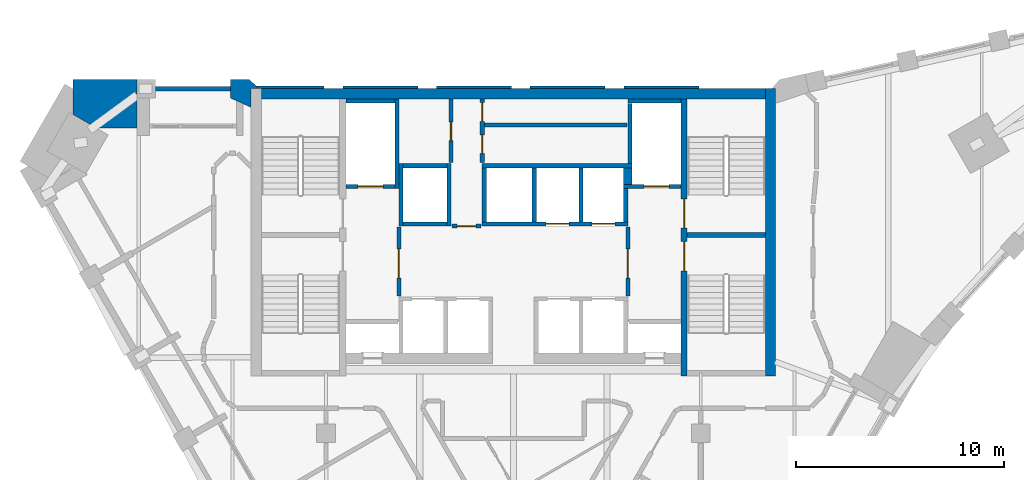
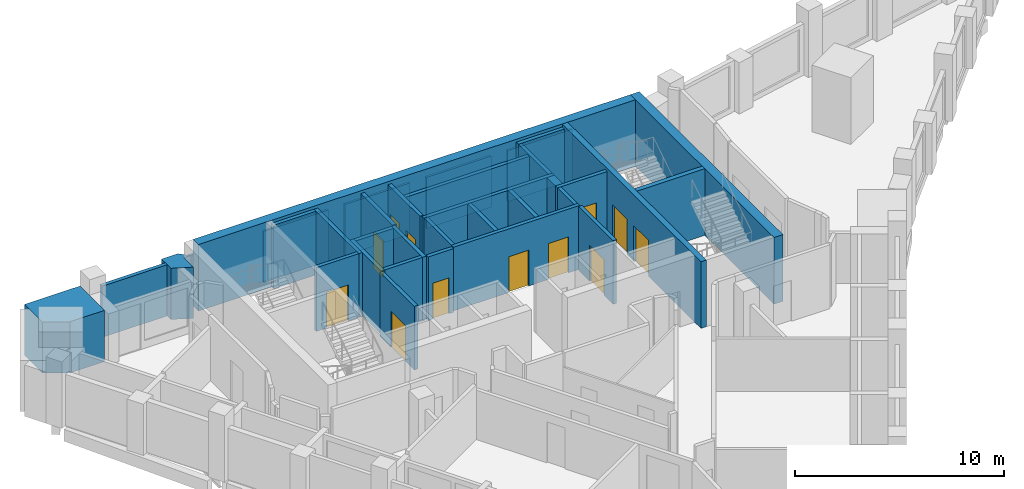
# One storey, part 6 of 9: 35 walls, 12 doors, 12 openings.
"""IFC4 building model written with IfcOpenShell, lengths in metres."""

from ifc_helpers import new_model, si_unit, direction, frame, frame_2d, origin, place, context, subcontext, project, spatial, polyline, rectangle, outline, extrude, material, layer, layer_set, type_object, element, fill, save


model = new_model("IFC4")

# Units and contexts
model_context = context("Model", 3, precision=1e-05, world=origin(), true_north=direction((0.0, 1.0)))
body_context = subcontext(model_context, "Body", "Model", "MODEL_VIEW")
ifc_project = project(units=[si_unit("LENGTHUNIT", "METRE"), si_unit("AREAUNIT", "SQUARE_METRE"), si_unit("VOLUMEUNIT", "CUBIC_METRE"), si_unit("PLANEANGLEUNIT", "RADIAN"), si_unit("MASSUNIT", "GRAM", prefix="KILO")], contexts=[model_context])

# Site, building, storey
site_placement = place(None, origin())
site = spatial("IfcSite", under=ifc_project, at=site_placement, CompositionType="ELEMENT")
building_placement = place(site_placement, origin())
building = spatial("IfcBuilding", under=site, at=building_placement, Name="Calabash Gate Tower", CompositionType="ELEMENT")
storey_placement = place(building_placement, frame((0.0, 0.0, 283.300048828125)))
storey = spatial("IfcBuildingStorey", under=building, at=storey_placement, Name="L68", CompositionType="ELEMENT", Elevation=283.300048828125)

# Walls
ifc_material_1 = material(Name="Terracotta brick masonry, exposed face", Category="masonry")
ifc_layer_1 = layer(ifc_material_1, 2.35009765625)
ifc_layer_set_1 = layer_set([ifc_layer_1], Name="Brick corner mass wall 2350")
wall_type_1 = type_object("IfcWallType", Name="Brick corner mass wall 2350", PredefinedType="SOLIDWALL", material=ifc_layer_set_1)
wall_1_placement = place(storey_placement, origin())
element("IfcWall", 1, at=wall_1_placement, inside=storey, type_object=wall_type_1, Name="Brick corner pier S20 3a", PredefinedType="SOLIDWALL", context=body_context, shape_type="SweptSolid", body=[
    extrude(outline(polyline([(-20.024169921875, 17.152587890625), (-18.093505859375, 17.152587890625), (-18.093505859375, 18.60302734375), (-18.093994140625, 18.60302734375), (-18.093994140625, 19.50244140625), (-21.168701171875, 19.50244140625), (-21.168701171875, 17.813232421875), (-20.024169921875, 17.152587890625)])), origin(), (0.0, 0.0, 1.0), 3.0),
])
ifc_material_2 = material(Name="Terracotta brick masonry, exposed face", Category="masonry")
ifc_layer_2 = layer(ifc_material_2, 0.89990234375)
ifc_layer_set_2 = layer_set([ifc_layer_2], Name="Brick end wall 900")
wall_type_2 = type_object("IfcWallType", Name="Brick end wall 900", PredefinedType="SOLIDWALL", material=ifc_layer_set_2)
wall_2_placement = place(storey_placement, origin())
element("IfcWall", 2, at=wall_2_placement, inside=storey, type_object=wall_type_2, Name="Brick pier S20 N6.5", PredefinedType="SOLIDWALL", context=body_context, shape_type="SweptSolid", body=[
    extrude(outline(polyline([(-12.233642578125, 19.052490234375), (-12.693603515625, 19.50244140625), (-13.593505859375, 19.50244140625), (-13.593505859375, 18.6025390625), (-12.60009765625, 18.15234375), (-12.60009765625, 19.052490234375), (-12.233642578125, 19.052490234375)])), origin(), (0.0, 0.0, 1.0), 3.0),
])
ifc_material_3 = material(Name="Concrete C60/75", Category="concrete")
ifc_layer_3 = layer(ifc_material_3, 0.25)
ifc_layer_set_3 = layer_set([ifc_layer_3], Name="Core wall 250 Concrete C60/75")
wall_type_3 = type_object("IfcWallType", Name="Core wall 250 Concrete C60/75", PredefinedType="SHEAR", material=ifc_layer_set_3)
wall_3_placement = place(storey_placement, frame((8.35009765625, 12.027587890625, 0.0), z_axis=(0.0, 0.0, 1.0), x_axis=(1.0, 0.0, 0.0)))
element("IfcWall", 3, at=wall_3_placement, inside=storey, type_object=wall_type_3, Name="Core wall Z5-MIDE L68", PredefinedType="SHEAR", context=body_context, shape_type="SweptSolid", body=[
    extrude(rectangle(XDim=3.75, YDim=0.25, at=frame_2d((1.875, 0.0))), origin(), (0.0, 0.0, 1.0), 3.89990234375),
])

# Wall, openings, doors
ifc_material_4 = material(Name="Concrete C60/75", Category="concrete")
ifc_layer_4 = layer(ifc_material_4, 0.300048828125)
ifc_layer_set_4 = layer_set([ifc_layer_4], Name="Core wall 300 Concrete C60/75")
wall_type_4 = type_object("IfcWallType", Name="Core wall 300 Concrete C60/75", PredefinedType="SHEAR", material=ifc_layer_set_4)
wall_4_placement = place(storey_placement, frame((8.199951171875, 5.252685546875, 0.0), z_axis=(0.0, 0.0, 1.0), x_axis=(0.0, 1.0, 0.0)))
wall_4 = element("IfcWall", 4, at=wall_4_placement, inside=storey, type_object=wall_type_4, Name="Core wall Z5-PARTE L68", PredefinedType="SHEAR", context=body_context, shape_type="SweptSolid", body=[
    extrude(rectangle(XDim=13.2998046875, YDim=0.300048828125, at=frame_2d((6.64990234375, 0.0))), origin(), (0.0, 0.0, 1.0), 3.89990234375),
])
opening_1_placement = place(wall_4_placement, frame((7.10009765625, 0.0, 0.0)))
opening_1 = element("IfcOpeningElement", 5, at=opening_1_placement, cuts=wall_4, Name="Opening O12-011", PredefinedType="OPENING", context=body_context, shape_type="SweptSolid", body=[
    extrude(rectangle(XDim=1.39990234375, YDim=2.10009765625, at=frame_2d((0.699951171875, 1.050048828125))), frame((0.0, 0.159912109375, 0.0), z_axis=(0.0, -1.0, 0.0), x_axis=(1.0, 0.0, 0.0)), (0.0, 0.0, 1.0), 0.320068359375),
])
opening_2_placement = place(wall_4_placement, frame((5.050048828125, 0.0, 0.0)))
opening_2 = element("IfcOpeningElement", 6, at=opening_2_placement, cuts=wall_4, Name="Opening O12-012", PredefinedType="OPENING", context=body_context, shape_type="SweptSolid", body=[
    extrude(rectangle(XDim=1.39990234375, YDim=2.10009765625, at=frame_2d((0.699951171875, 1.050048828125))), frame((0.0, 0.159912109375, 0.0), z_axis=(0.0, -1.0, 0.0), x_axis=(1.0, 0.0, 0.0)), (0.0, 0.0, 1.0), 0.320068359375),
])
ifc_material_5 = material(Name="Steel fire door set with fire-resisting glazing", Category="steel")
door_type_1 = type_object("IfcDoorType", Name="Fire door D05 1400x2100 FD90", OperationType="NOTDEFINED", PredefinedType="DOOR", material=ifc_material_5)
door_1_placement = place(opening_1_placement, origin())
door_1 = element("IfcDoor", 7, at=door_1_placement, inside=storey, type_object=door_type_1, Name="Exit stair door ST3", OperationType="SINGLE_SWING_RIGHT", OverallHeight=2.10009765625, OverallWidth=1.39990234375, PredefinedType="DOOR", context=body_context, shape_type="SweptSolid", body=[
    extrude(rectangle(XDim=1.39990234375, YDim=2.10009765625, at=frame_2d((0.699951171875, 1.050048828125))), frame((0.0, 0.02490234375, 0.0), z_axis=(0.0, -1.0, 0.0), x_axis=(1.0, 0.0, 0.0)), (0.0, 0.0, 1.0), 0.050048828125),
])
fill(opening_1, door_1)
door_2_placement = place(opening_2_placement, origin())
door_2 = element("IfcDoor", 8, at=door_2_placement, inside=storey, type_object=door_type_1, Name="Exit stair door ST4", OperationType="SINGLE_SWING_LEFT", OverallHeight=2.10009765625, OverallWidth=1.39990234375, PredefinedType="DOOR", context=body_context, shape_type="SweptSolid", body=[
    extrude(rectangle(XDim=1.39990234375, YDim=2.10009765625, at=frame_2d((0.699951171875, 1.050048828125))), frame((0.0, 0.02490234375, 0.0), z_axis=(0.0, -1.0, 0.0), x_axis=(1.0, 0.0, 0.0)), (0.0, 0.0, 1.0), 0.050048828125),
])
fill(opening_2, door_2)

# Walls
ifc_material_6 = material(Name="Concrete C60/75", Category="concrete")
ifc_layer_5 = layer(ifc_material_6, 0.5)
ifc_layer_set_5 = layer_set([ifc_layer_5], Name="Core wall 500 Concrete C60/75")
wall_type_5 = type_object("IfcWallType", Name="Core wall 500 Concrete C60/75", PredefinedType="SHEAR", material=ifc_layer_set_5)
wall_5_placement = place(storey_placement, frame((-12.10009765625, 18.802490234375, 0.0), z_axis=(0.0, 0.0, 1.0), x_axis=(1.0, 0.0, 0.0)))
element("IfcWall", 9, at=wall_5_placement, inside=storey, type_object=wall_type_5, Name="Core wall Z5-N L68", PredefinedType="SHEAR", context=body_context, shape_type="SweptSolid", body=[
    extrude(rectangle(XDim=24.2001953125, YDim=0.5, at=frame_2d((12.10009765625, 0.0))), origin(), (0.0, 0.0, 1.0), 3.89990234375),
])
wall_6_placement = place(storey_placement, frame((12.35009765625, 5.252685546875, 0.0), z_axis=(0.0, 0.0, 1.0), x_axis=(0.0, 1.0, 0.0)))
element("IfcWall", 10, at=wall_6_placement, inside=storey, type_object=wall_type_5, Name="Core wall Z5-COLE L68", PredefinedType="SHEAR", context=body_context, shape_type="SweptSolid", body=[
    extrude(rectangle(XDim=13.7998046875, YDim=0.5, at=frame_2d((6.89990234375, 0.0))), origin(), (0.0, 0.0, 1.0), 3.89990234375),
])

# Wall, opening, door
ifc_material_7 = material(Name="Concrete C40/50", Category="concrete")
ifc_layer_6 = layer(ifc_material_7, 0.199951171875)
ifc_layer_set_6 = layer_set([ifc_layer_6], Name="Shaft wall 200 Concrete C40/50")
wall_type_6 = type_object("IfcWallType", Name="Shaft wall 200 Concrete C40/50", PredefinedType="SOLIDWALL", material=ifc_layer_set_6)
wall_7_placement = place(storey_placement, frame((-5.5, 9.1025390625, 0.0), z_axis=(0.0, 0.0, 1.0), x_axis=(0.0, 1.0, 0.0)))
wall_7 = element("IfcWall", 11, at=wall_7_placement, inside=storey, type_object=wall_type_6, Name="Shaft wall", PredefinedType="SOLIDWALL", context=body_context, shape_type="SweptSolid", body=[
    extrude(rectangle(XDim=3.300048828125, YDim=0.199951171875, at=frame_2d((1.64990234375, 0.0))), origin(), (0.0, 0.0, 1.0), 3.72998046875),
])
opening_3_placement = place(wall_7_placement, frame((0.85009765625, 0.0, 0.0)))
opening_3 = element("IfcOpeningElement", 12, at=opening_3_placement, cuts=wall_7, Name="Opening O12-003", PredefinedType="OPENING", context=body_context, shape_type="SweptSolid", body=[
    extrude(rectangle(XDim=1.39990234375, YDim=2.10009765625, at=frame_2d((0.699951171875, 1.050048828125))), frame((0.0, 0.10986328125, 0.0), z_axis=(0.0, -1.0, 0.0), x_axis=(1.0, 0.0, 0.0)), (0.0, 0.0, 1.0), 0.219970703125),
])
door_3_placement = place(opening_3_placement, origin())
door_3 = element("IfcDoor", 13, at=door_3_placement, inside=storey, type_object=door_type_1, Name="Firefighting Lobby W door", OperationType="SINGLE_SWING_RIGHT", OverallHeight=2.10009765625, OverallWidth=1.39990234375, PredefinedType="DOOR", context=body_context, shape_type="SweptSolid", body=[
    extrude(rectangle(XDim=1.39990234375, YDim=2.10009765625, at=frame_2d((0.699951171875, 1.050048828125))), frame((0.0, 0.02490234375, 0.0), z_axis=(0.0, -1.0, 0.0), x_axis=(1.0, 0.0, 0.0)), (0.0, 0.0, 1.0), 0.050048828125),
])
fill(opening_3, door_3)

wall_8_placement = place(storey_placement, frame((5.5, 9.1025390625, 0.0), z_axis=(0.0, 0.0, 1.0), x_axis=(0.0, 1.0, 0.0)))
wall_8 = element("IfcWall", 14, at=wall_8_placement, inside=storey, type_object=wall_type_6, Name="Shaft wall", PredefinedType="SOLIDWALL", context=body_context, shape_type="SweptSolid", body=[
    extrude(rectangle(XDim=3.300048828125, YDim=0.199951171875, at=frame_2d((1.64990234375, 0.0))), origin(), (0.0, 0.0, 1.0), 3.72998046875),
])
opening_4_placement = place(wall_8_placement, frame((0.85009765625, 0.0, 0.0)))
opening_4 = element("IfcOpeningElement", 15, at=opening_4_placement, cuts=wall_8, Name="Opening O12-002", PredefinedType="OPENING", context=body_context, shape_type="SweptSolid", body=[
    extrude(rectangle(XDim=1.39990234375, YDim=2.10009765625, at=frame_2d((0.699951171875, 1.050048828125))), frame((0.0, 0.10986328125, 0.0), z_axis=(0.0, -1.0, 0.0), x_axis=(1.0, 0.0, 0.0)), (0.0, 0.0, 1.0), 0.219970703125),
])
door_4_placement = place(opening_4_placement, origin())
door_4 = element("IfcDoor", 16, at=door_4_placement, inside=storey, type_object=door_type_1, Name="Firefighting Lobby E door", OperationType="SINGLE_SWING_LEFT", OverallHeight=2.10009765625, OverallWidth=1.39990234375, PredefinedType="DOOR", context=body_context, shape_type="SweptSolid", body=[
    extrude(rectangle(XDim=1.39990234375, YDim=2.10009765625, at=frame_2d((0.699951171875, 1.050048828125))), frame((0.0, 0.02490234375, 0.0), z_axis=(0.0, -1.0, 0.0), x_axis=(1.0, 0.0, 0.0)), (0.0, 0.0, 1.0), 0.050048828125),
])
fill(opening_4, door_4)

wall_9_placement = place(storey_placement, frame((-2.949951171875, 12.45263671875, 0.0), z_axis=(0.0, 0.0, 1.0), x_axis=(1.0, 0.0, 0.0)))
wall_9 = element("IfcWall", 17, at=wall_9_placement, inside=storey, type_object=wall_type_6, Name="Shaft wall", PredefinedType="SOLIDWALL", context=body_context, shape_type="SweptSolid", body=[
    extrude(rectangle(XDim=1.39990234375, YDim=0.199951171875, at=frame_2d((0.699951171875, 0.0))), origin(), (0.0, 0.0, 1.0), 3.72998046875),
])
opening_5_placement = place(wall_9_placement, frame((0.25, 0.0, 0.0)))
opening_5 = element("IfcOpeningElement", 18, at=opening_5_placement, cuts=wall_9, Name="Opening O12-001", PredefinedType="OPENING", context=body_context, shape_type="SweptSolid", body=[
    extrude(rectangle(XDim=0.89990234375, YDim=2.10009765625, at=frame_2d((0.449951171875, 1.050048828125))), frame((0.0, 0.10986328125, 0.0), z_axis=(0.0, -1.0, 0.0), x_axis=(1.0, 0.0, 0.0)), (0.0, 0.0, 1.0), 0.219970703125),
])
ifc_material_8 = material(Name="Steel fire door set with fire-resisting glazing", Category="steel")
door_type_2 = type_object("IfcDoorType", Name="Fire door D06 900x2100 FD60", OperationType="NOTDEFINED", PredefinedType="DOOR", material=ifc_material_8)
door_5_placement = place(opening_5_placement, origin())
door_5 = element("IfcDoor", 19, at=door_5_placement, inside=storey, type_object=door_type_2, Name="Service Corridor door", OperationType="SINGLE_SWING_RIGHT", OverallHeight=2.10009765625, OverallWidth=0.89990234375, PredefinedType="DOOR", context=body_context, shape_type="SweptSolid", body=[
    extrude(rectangle(XDim=0.89990234375, YDim=2.10009765625, at=frame_2d((0.449951171875, 1.050048828125))), frame((0.0, 0.02490234375, 0.0), z_axis=(0.0, -1.0, 0.0), x_axis=(1.0, 0.0, 0.0)), (0.0, 0.0, 1.0), 0.050048828125),
])
fill(opening_5, door_5)

# Walls
wall_10_placement = place(storey_placement, frame((-5.39990234375, 12.45263671875, 0.0), z_axis=(0.0, 0.0, 1.0), x_axis=(0.0, 1.0, 0.0)))
element("IfcWall", 20, at=wall_10_placement, inside=storey, type_object=wall_type_6, Name="Shaft wall", PredefinedType="SOLIDWALL", context=body_context, shape_type="SweptSolid", body=[
    extrude(rectangle(XDim=3.0, YDim=0.199951171875, at=frame_2d((1.5, 0.0))), origin(), (0.0, 0.0, 1.0), 3.72998046875),
])
wall_11_placement = place(storey_placement, frame((-5.300048828125, 12.552490234375, 0.0), z_axis=(0.0, 0.0, 1.0), x_axis=(1.0, 0.0, 0.0)))
element("IfcWall", 21, at=wall_11_placement, inside=storey, type_object=wall_type_6, Name="Shaft wall", PredefinedType="SOLIDWALL", context=body_context, shape_type="SweptSolid", body=[
    extrude(rectangle(XDim=2.10009765625, YDim=0.199951171875, at=frame_2d((1.050048828125, 0.0))), origin(), (0.0, 0.0, 1.0), 3.72998046875),
])
wall_12_placement = place(storey_placement, frame((-3.10009765625, 12.45263671875, 0.0), z_axis=(0.0, 0.0, 1.0), x_axis=(0.0, 1.0, 0.0)))
element("IfcWall", 22, at=wall_12_placement, inside=storey, type_object=wall_type_6, Name="Shaft wall", PredefinedType="SOLIDWALL", context=body_context, shape_type="SweptSolid", body=[
    extrude(rectangle(XDim=3.0, YDim=0.199951171875, at=frame_2d((1.5, 0.0))), origin(), (0.0, 0.0, 1.0), 3.72998046875),
])

# Wall, openings, doors
wall_13_placement = place(storey_placement, frame((-1.5, 12.552490234375, 0.0), z_axis=(0.0, 0.0, 1.0), x_axis=(1.0, 0.0, 0.0)))
wall_13 = element("IfcWall", 23, at=wall_13_placement, inside=storey, type_object=wall_type_6, Name="Shaft wall", PredefinedType="SOLIDWALL", context=body_context, shape_type="SweptSolid", body=[
    extrude(rectangle(XDim=7.0, YDim=0.199951171875, at=frame_2d((3.5, 0.0))), origin(), (0.0, 0.0, 1.0), 3.72998046875),
])
opening_6_placement = place(wall_13_placement, frame((3.074951171875, 0.0, 0.0)))
opening_6 = element("IfcOpeningElement", 24, at=opening_6_placement, cuts=wall_13, Name="Opening LD-HR5", PredefinedType="OPENING", context=body_context, shape_type="SweptSolid", body=[
    extrude(rectangle(XDim=1.10009765625, YDim=2.10009765625, at=frame_2d((0.550048828125, 1.050048828125))), frame((0.0, 0.10986328125, 0.0), z_axis=(0.0, -1.0, 0.0), x_axis=(1.0, 0.0, 0.0)), (0.0, 0.0, 1.0), 0.219970703125),
])
opening_7_placement = place(wall_13_placement, frame((5.27490234375, 0.0, 0.0)))
opening_7 = element("IfcOpeningElement", 25, at=opening_7_placement, cuts=wall_13, Name="Opening LD-HR6", PredefinedType="OPENING", context=body_context, shape_type="SweptSolid", body=[
    extrude(rectangle(XDim=1.10009765625, YDim=2.10009765625, at=frame_2d((0.550048828125, 1.050048828125))), frame((0.0, 0.10986328125, 0.0), z_axis=(0.0, -1.0, 0.0), x_axis=(1.0, 0.0, 0.0)), (0.0, 0.0, 1.0), 0.219970703125),
])
ifc_material_9 = material(Name="Stainless steel sliding door leaves", Category="steel")
door_type_3 = type_object("IfcDoorType", Name="Lift landing door LS1 1100x2100 FD90", OperationType="DOUBLE_DOOR_SLIDING", PredefinedType="DOOR", material=ifc_material_9)
door_6_placement = place(opening_6_placement, origin())
door_6 = element("IfcDoor", 26, at=door_6_placement, inside=storey, type_object=door_type_3, Name="Lift landing door HR5", OperationType="DOUBLE_DOOR_SLIDING", OverallHeight=2.10009765625, OverallWidth=1.10009765625, PredefinedType="DOOR", context=body_context, shape_type="SweptSolid", body=[
    extrude(rectangle(XDim=1.10009765625, YDim=2.10009765625, at=frame_2d((0.550048828125, 1.050048828125))), frame((0.0, 0.02490234375, 0.0), z_axis=(0.0, -1.0, 0.0), x_axis=(1.0, 0.0, 0.0)), (0.0, 0.0, 1.0), 0.050048828125),
])
fill(opening_6, door_6)
door_7_placement = place(opening_7_placement, origin())
door_7 = element("IfcDoor", 27, at=door_7_placement, inside=storey, type_object=door_type_3, Name="Lift landing door HR6", OperationType="DOUBLE_DOOR_SLIDING", OverallHeight=2.10009765625, OverallWidth=1.10009765625, PredefinedType="DOOR", context=body_context, shape_type="SweptSolid", body=[
    extrude(rectangle(XDim=1.10009765625, YDim=2.10009765625, at=frame_2d((0.550048828125, 1.050048828125))), frame((0.0, 0.02490234375, 0.0), z_axis=(0.0, -1.0, 0.0), x_axis=(1.0, 0.0, 0.0)), (0.0, 0.0, 1.0), 0.050048828125),
])
fill(opening_7, door_7)

# Walls
for number, where, z_axis, x_axis, name in (
    (28, (-1.39990234375, 12.652587890625, 0.0), (0.0, 0.0, 1.0), (0.0, 1.0, 0.0), "Shaft wall"),
    (29, (1.0, 12.652587890625, 0.0), (0.0, 0.0, 1.0), (0.0, 1.0, 0.0), "Shaft wall"),
    (30, (3.25, 12.652587890625, 0.0), (0.0, 0.0, 1.0), (0.0, 1.0, 0.0), "Shaft wall"),
):
    element("IfcWall", number, at=place(storey_placement, frame(where, z_axis=z_axis, x_axis=x_axis)), inside=storey, type_object=wall_type_6, Name=name, PredefinedType="SOLIDWALL", context=body_context, shape_type="SweptSolid", body=[
        extrude(rectangle(XDim=2.60009765625, YDim=0.199951171875, at=frame_2d((1.300048828125, 0.0))), origin(), (0.0, 0.0, 1.0), 3.72998046875),
    ])
wall_14_placement = place(storey_placement, frame((5.39990234375, 12.652587890625, 0.0), z_axis=(0.0, 0.0, 1.0), x_axis=(0.0, 1.0, 0.0)))
element("IfcWall", 31, at=wall_14_placement, inside=storey, type_object=wall_type_6, Name="Shaft wall", PredefinedType="SOLIDWALL", context=body_context, shape_type="SweptSolid", body=[
    extrude(rectangle(XDim=1.60009765625, YDim=0.199951171875, at=frame_2d((0.800048828125, 0.0))), origin(), (0.0, 0.0, 1.0), 3.72998046875),
])

# Wall, opening, door
wall_15_placement = place(storey_placement, frame((-8.050048828125, 14.3525390625, 0.0), z_axis=(0.0, 0.0, 1.0), x_axis=(1.0, 0.0, 0.0)))
wall_15 = element("IfcWall", 32, at=wall_15_placement, inside=storey, type_object=wall_type_6, Name="Shaft wall", PredefinedType="SOLIDWALL", context=body_context, shape_type="SweptSolid", body=[
    extrude(rectangle(XDim=2.35009765625, YDim=0.199951171875, at=frame_2d((1.175048828125, 0.0))), origin(), (0.0, 0.0, 1.0), 3.72998046875),
])
opening_8_placement = place(wall_15_placement, frame((0.574951171875, 0.0, 0.0)))
opening_8 = element("IfcOpeningElement", 33, at=opening_8_placement, cuts=wall_15, Name="Opening LD-FF1", PredefinedType="OPENING", context=body_context, shape_type="SweptSolid", body=[
    extrude(rectangle(XDim=1.199951171875, YDim=2.10009765625, at=frame_2d((0.60009765625, 1.050048828125))), frame((0.0, 0.10986328125, 0.0), z_axis=(0.0, -1.0, 0.0), x_axis=(1.0, 0.0, 0.0)), (0.0, 0.0, 1.0), 0.219970703125),
])
ifc_material_10 = material(Name="Stainless steel sliding door leaves", Category="steel")
door_type_4 = type_object("IfcDoorType", Name="Lift landing door LS3 1200x2100 FD90", OperationType="DOUBLE_DOOR_SLIDING", PredefinedType="DOOR", material=ifc_material_10)
door_8_placement = place(opening_8_placement, origin())
door_8 = element("IfcDoor", 34, at=door_8_placement, inside=storey, type_object=door_type_4, Name="Lift landing door FF1", OperationType="DOUBLE_DOOR_SLIDING", OverallHeight=2.10009765625, OverallWidth=1.199951171875, PredefinedType="DOOR", context=body_context, shape_type="SweptSolid", body=[
    extrude(rectangle(XDim=1.199951171875, YDim=2.10009765625, at=frame_2d((0.60009765625, 1.050048828125))), frame((0.0, 0.02490234375, 0.0), z_axis=(0.0, -1.0, 0.0), x_axis=(1.0, 0.0, 0.0)), (0.0, 0.0, 1.0), 0.050048828125),
])
fill(opening_8, door_8)

# Wall
wall_16_placement = place(storey_placement, frame((-5.60009765625, 14.252685546875, 0.0), z_axis=(0.0, 0.0, 1.0), x_axis=(0.0, 1.0, 0.0)))
element("IfcWall", 35, at=wall_16_placement, inside=storey, type_object=wall_type_6, Name="Shaft wall", PredefinedType="SOLIDWALL", context=body_context, shape_type="SweptSolid", body=[
    extrude(rectangle(XDim=4.2998046875, YDim=0.199951171875, at=frame_2d((2.14990234375, 0.0))), origin(), (0.0, 0.0, 1.0), 3.72998046875),
])

# Wall, opening, door
wall_17_placement = place(storey_placement, frame((5.300048828125, 14.3525390625, 0.0), z_axis=(0.0, 0.0, 1.0), x_axis=(1.0, 0.0, 0.0)))
wall_17 = element("IfcWall", 36, at=wall_17_placement, inside=storey, type_object=wall_type_6, Name="Shaft wall", PredefinedType="SOLIDWALL", context=body_context, shape_type="SweptSolid", body=[
    extrude(rectangle(XDim=2.75, YDim=0.199951171875, at=frame_2d((1.375, 0.0))), origin(), (0.0, 0.0, 1.0), 3.72998046875),
])
opening_9_placement = place(wall_17_placement, frame((0.97509765625, 0.0, 0.0)))
opening_9 = element("IfcOpeningElement", 37, at=opening_9_placement, cuts=wall_17, Name="Opening LD-FF2", PredefinedType="OPENING", context=body_context, shape_type="SweptSolid", body=[
    extrude(rectangle(XDim=1.199951171875, YDim=2.10009765625, at=frame_2d((0.60009765625, 1.050048828125))), frame((0.0, 0.10986328125, 0.0), z_axis=(0.0, -1.0, 0.0), x_axis=(1.0, 0.0, 0.0)), (0.0, 0.0, 1.0), 0.219970703125),
])
door_9_placement = place(opening_9_placement, origin())
door_9 = element("IfcDoor", 38, at=door_9_placement, inside=storey, type_object=door_type_4, Name="Lift landing door FF2", OperationType="DOUBLE_DOOR_SLIDING", OverallHeight=2.10009765625, OverallWidth=1.199951171875, PredefinedType="DOOR", context=body_context, shape_type="SweptSolid", body=[
    extrude(rectangle(XDim=1.199951171875, YDim=2.10009765625, at=frame_2d((0.60009765625, 1.050048828125))), frame((0.0, 0.02490234375, 0.0), z_axis=(0.0, -1.0, 0.0), x_axis=(1.0, 0.0, 0.0)), (0.0, 0.0, 1.0), 0.050048828125),
])
fill(opening_9, door_9)

# Walls
wall_18_placement = place(storey_placement, frame((5.5, 14.45263671875, 0.0), z_axis=(0.0, 0.0, 1.0), x_axis=(0.0, 1.0, 0.0)))
element("IfcWall", 39, at=wall_18_placement, inside=storey, type_object=wall_type_6, Name="Shaft wall", PredefinedType="SOLIDWALL", context=body_context, shape_type="SweptSolid", body=[
    extrude(rectangle(XDim=0.800048828125, YDim=0.39990234375, at=frame_2d((0.39990234375, 0.0))), origin(), (0.0, 0.0, 1.0), 3.72998046875),
])
wall_19_placement = place(storey_placement, frame((-5.300048828125, 15.3525390625, 0.0), z_axis=(0.0, 0.0, 1.0), x_axis=(1.0, 0.0, 0.0)))
element("IfcWall", 40, at=wall_19_placement, inside=storey, type_object=wall_type_6, Name="Shaft wall", PredefinedType="SOLIDWALL", context=body_context, shape_type="SweptSolid", body=[
    extrude(rectangle(XDim=2.10009765625, YDim=0.199951171875, at=frame_2d((1.050048828125, 0.0))), origin(), (0.0, 0.0, 1.0), 3.72998046875),
])
wall_20_placement = place(storey_placement, frame((-1.5, 15.3525390625, 0.0), z_axis=(0.0, 0.0, 1.0), x_axis=(1.0, 0.0, 0.0)))
element("IfcWall", 41, at=wall_20_placement, inside=storey, type_object=wall_type_6, Name="Shaft wall", PredefinedType="SOLIDWALL", context=body_context, shape_type="SweptSolid", body=[
    extrude(rectangle(XDim=7.199951171875, YDim=0.199951171875, at=frame_2d((3.60009765625, 0.0))), origin(), (0.0, 0.0, 1.0), 3.72998046875),
])
wall_21_placement = place(storey_placement, frame((5.60009765625, 15.45263671875, 0.0), z_axis=(0.0, 0.0, 1.0), x_axis=(0.0, 1.0, 0.0)))
element("IfcWall", 42, at=wall_21_placement, inside=storey, type_object=wall_type_6, Name="Shaft wall", PredefinedType="SOLIDWALL", context=body_context, shape_type="SweptSolid", body=[
    extrude(rectangle(XDim=2.89990234375, YDim=0.199951171875, at=frame_2d((1.449951171875, 0.0))), origin(), (0.0, 0.0, 1.0), 3.72998046875),
])

# Wall, opening, door
wall_22_placement = place(storey_placement, frame((-3.0, 15.502685546875, 0.0), z_axis=(0.0, 0.0, 1.0), x_axis=(0.0, 1.0, 0.0)))
wall_22 = element("IfcWall", 43, at=wall_22_placement, inside=storey, type_object=wall_type_6, Name="Shaft wall", PredefinedType="SOLIDWALL", context=body_context, shape_type="SweptSolid", body=[
    extrude(rectangle(XDim=3.0498046875, YDim=0.199951171875, at=frame_2d((1.52490234375, 0.0))), origin(), (0.0, 0.0, 1.0), 3.72998046875),
])
opening_10_placement = place(wall_22_placement, frame((1.050048828125, 0.0, 0.0)))
opening_10 = element("IfcOpeningElement", 44, at=opening_10_placement, cuts=wall_22, Name="Opening O12-004", PredefinedType="OPENING", context=body_context, shape_type="SweptSolid", body=[
    extrude(rectangle(XDim=0.89990234375, YDim=2.10009765625, at=frame_2d((0.449951171875, 1.050048828125))), frame((0.0, 0.10986328125, 0.0), z_axis=(0.0, -1.0, 0.0), x_axis=(1.0, 0.0, 0.0)), (0.0, 0.0, 1.0), 0.219970703125),
])
door_10_placement = place(opening_10_placement, origin())
door_10 = element("IfcDoor", 45, at=door_10_placement, inside=storey, type_object=door_type_2, Name="Accessible WC door", OperationType="SINGLE_SWING_LEFT", OverallHeight=2.10009765625, OverallWidth=0.89990234375, PredefinedType="DOOR", context=body_context, shape_type="SweptSolid", body=[
    extrude(rectangle(XDim=0.89990234375, YDim=2.10009765625, at=frame_2d((0.449951171875, 1.050048828125))), frame((0.0, 0.02490234375, 0.0), z_axis=(0.0, -1.0, 0.0), x_axis=(1.0, 0.0, 0.0)), (0.0, 0.0, 1.0), 0.050048828125),
])
fill(opening_10, door_10)

# Wall, openings, doors
wall_23_placement = place(storey_placement, frame((-1.5, 15.502685546875, 0.0), z_axis=(0.0, 0.0, 1.0), x_axis=(0.0, 1.0, 0.0)))
wall_23 = element("IfcWall", 46, at=wall_23_placement, inside=storey, type_object=wall_type_6, Name="Shaft wall", PredefinedType="SOLIDWALL", context=body_context, shape_type="SweptSolid", body=[
    extrude(rectangle(XDim=3.0498046875, YDim=0.199951171875, at=frame_2d((1.52490234375, 0.0))), origin(), (0.0, 0.0, 1.0), 3.72998046875),
])
opening_11_placement = place(wall_23_placement, frame((0.429931640625, 0.0, 0.0)))
opening_11 = element("IfcOpeningElement", 47, at=opening_11_placement, cuts=wall_23, Name="Opening O12-005", PredefinedType="OPENING", context=body_context, shape_type="SweptSolid", body=[
    extrude(rectangle(XDim=0.89990234375, YDim=2.10009765625, at=frame_2d((0.449951171875, 1.050048828125))), frame((0.0, 0.10986328125, 0.0), z_axis=(0.0, -1.0, 0.0), x_axis=(1.0, 0.0, 0.0)), (0.0, 0.0, 1.0), 0.219970703125),
])
opening_12_placement = place(wall_23_placement, frame((1.97998046875, 0.0, 0.0)))
opening_12 = element("IfcOpeningElement", 48, at=opening_12_placement, cuts=wall_23, Name="Opening O12-006", PredefinedType="OPENING", context=body_context, shape_type="SweptSolid", body=[
    extrude(rectangle(XDim=0.89990234375, YDim=2.10009765625, at=frame_2d((0.449951171875, 1.050048828125))), frame((0.0, 0.10986328125, 0.0), z_axis=(0.0, -1.0, 0.0), x_axis=(1.0, 0.0, 0.0)), (0.0, 0.0, 1.0), 0.219970703125),
])
door_11_placement = place(opening_11_placement, origin())
door_11 = element("IfcDoor", 49, at=door_11_placement, inside=storey, type_object=door_type_2, Name="Tenant Pantry door", OperationType="SINGLE_SWING_LEFT", OverallHeight=2.10009765625, OverallWidth=0.89990234375, PredefinedType="DOOR", context=body_context, shape_type="SweptSolid", body=[
    extrude(rectangle(XDim=0.89990234375, YDim=2.10009765625, at=frame_2d((0.449951171875, 1.050048828125))), frame((0.0, 0.02490234375, 0.0), z_axis=(0.0, -1.0, 0.0), x_axis=(1.0, 0.0, 0.0)), (0.0, 0.0, 1.0), 0.050048828125),
])
fill(opening_11, door_11)
door_12_placement = place(opening_12_placement, origin())
door_12 = element("IfcDoor", 50, at=door_12_placement, inside=storey, type_object=door_type_2, Name="Comms Room door", OperationType="SINGLE_SWING_LEFT", OverallHeight=2.10009765625, OverallWidth=0.89990234375, PredefinedType="DOOR", context=body_context, shape_type="SweptSolid", body=[
    extrude(rectangle(XDim=0.89990234375, YDim=2.10009765625, at=frame_2d((0.449951171875, 1.050048828125))), frame((0.0, 0.02490234375, 0.0), z_axis=(0.0, -1.0, 0.0), x_axis=(1.0, 0.0, 0.0)), (0.0, 0.0, 1.0), 0.050048828125),
])
fill(opening_12, door_12)

# Walls
wall_24_placement = place(storey_placement, frame((-1.39990234375, 17.3125, 0.0), z_axis=(0.0, 0.0, 1.0), x_axis=(1.0, 0.0, 0.0)))
element("IfcWall", 51, at=wall_24_placement, inside=storey, type_object=wall_type_6, Name="Shaft wall", PredefinedType="SOLIDWALL", context=body_context, shape_type="SweptSolid", body=[
    extrude(rectangle(XDim=6.849853515625, YDim=0.199951171875, at=frame_2d((3.4248046875, 0.0))), origin(), (0.0, 0.0, 1.0), 3.72998046875),
])
wall_25_placement = place(storey_placement, frame((-8.050048828125, 18.45263671875, 0.0), z_axis=(0.0, 0.0, 1.0), x_axis=(1.0, 0.0, 0.0)))
element("IfcWall", 52, at=wall_25_placement, inside=storey, type_object=wall_type_6, Name="Shaft wall", PredefinedType="SOLIDWALL", context=body_context, shape_type="SweptSolid", body=[
    extrude(rectangle(XDim=2.35009765625, YDim=0.199951171875, at=frame_2d((1.175048828125, 0.0))), origin(), (0.0, 0.0, 1.0), 3.72998046875),
])
wall_26_placement = place(storey_placement, frame((5.5, 18.45263671875, 0.0), z_axis=(0.0, 0.0, 1.0), x_axis=(1.0, 0.0, 0.0)))
element("IfcWall", 53, at=wall_26_placement, inside=storey, type_object=wall_type_6, Name="Shaft wall", PredefinedType="SOLIDWALL", context=body_context, shape_type="SweptSolid", body=[
    extrude(rectangle(XDim=2.550048828125, YDim=0.199951171875, at=frame_2d((1.27490234375, 0.0))), origin(), (0.0, 0.0, 1.0), 3.72998046875),
])
ifc_material_11 = material(Name="Terracotta brick masonry, perforated", Category="masonry")
ifc_layer_7 = layer(ifc_material_11, 0.1201171875)
ifc_layer_set_7 = layer_set([ifc_layer_7], Name="Terracotta jaali cladding B 120")
wall_type_7 = type_object("IfcWallType", Name="Terracotta jaali cladding B 120", PredefinedType="SOLIDWALL", material=ifc_layer_set_7)
wall_27_placement = place(storey_placement, origin())
element("IfcWall", 54, at=wall_27_placement, inside=storey, type_object=wall_type_7, Name="Jaali cladding S20 N6.1", PredefinedType="SOLIDWALL", context=body_context, shape_type="SweptSolid", body=[
    extrude(outline(polyline([(5.306396484375, 19.172607421875), (5.306396484375, 19.052490234375), (8.906494140625, 19.052490234375), (8.906494140625, 19.172607421875), (5.306396484375, 19.172607421875)])), origin(), (0.0, 0.0, 1.0), 3.0),
])
wall_28_placement = place(storey_placement, origin())
element("IfcWall", 55, at=wall_28_placement, inside=storey, type_object=wall_type_7, Name="Jaali cladding S20 N6.3", PredefinedType="SOLIDWALL", context=body_context, shape_type="SweptSolid", body=[
    extrude(outline(polyline([(-3.693603515625, 19.172607421875), (-3.693603515625, 19.052490234375), (-0.093505859375, 19.052490234375), (-0.093505859375, 19.172607421875), (-3.693603515625, 19.172607421875)])), origin(), (0.0, 0.0, 1.0), 3.0),
])
wall_29_placement = place(storey_placement, origin())
element("IfcWall", 56, at=wall_29_placement, inside=storey, type_object=wall_type_7, Name="Jaali cladding S20 N6.5", PredefinedType="SOLIDWALL", context=body_context, shape_type="SweptSolid", body=[
    extrude(outline(polyline([(-12.233154296875, 19.052490234375), (-9.093505859375, 19.052490234375), (-9.093505859375, 19.172607421875), (-12.35546875, 19.172607421875), (-12.233154296875, 19.052490234375)])), origin(), (0.0, 0.0, 1.0), 3.0),
])
ifc_material_12 = material(Name="Terracotta brick masonry, perforated", Category="masonry")
ifc_layer_8 = layer(ifc_material_12, 0.199951171875)
ifc_layer_set_8 = layer_set([ifc_layer_8], Name="Terracotta jaali screen B")
wall_type_8 = type_object("IfcWallType", Name="Terracotta jaali screen B", PredefinedType="SOLIDWALL", material=ifc_layer_set_8)
wall_30_placement = place(storey_placement, frame((-13.593505859375, 19.052490234375, 0.0), z_axis=(0.0, 0.0, 1.0), x_axis=(-1.0, 0.0, 0.0)))
element("IfcWall", 57, at=wall_30_placement, inside=storey, type_object=wall_type_8, Name="SCREEN B S20 N6.6", PredefinedType="SOLIDWALL", context=body_context, shape_type="SweptSolid", body=[
    extrude(rectangle(XDim=3.60009765625, YDim=0.199951171875, at=frame_2d((1.800048828125, 0.0))), origin(), (0.0, 0.0, 1.0), 3.0),
])
ifc_material_13 = material(Name="Terracotta louvre blades in an aluminium frame", Category="masonry")
ifc_layer_9 = layer(ifc_material_13, 0.1201171875)
ifc_layer_set_9 = layer_set([ifc_layer_9], Name="Terracotta vent louvre cladding 120")
wall_type_9 = type_object("IfcWallType", Name="Terracotta vent louvre cladding 120", PredefinedType="ELEMENTEDWALL", material=ifc_layer_set_9)
wall_31_placement = place(storey_placement, origin())
element("IfcWall", 58, at=wall_31_placement, inside=storey, type_object=wall_type_9, Name="Vent louvre cladding S20 N6.2", PredefinedType="ELEMENTEDWALL", context=body_context, shape_type="SweptSolid", body=[
    extrude(outline(polyline([(0.806396484375, 19.172607421875), (0.806396484375, 19.052490234375), (4.406494140625, 19.052490234375), (4.406494140625, 19.172607421875), (0.806396484375, 19.172607421875)])), origin(), (0.0, 0.0, 1.0), 3.0),
])
wall_32_placement = place(storey_placement, origin())
element("IfcWall", 59, at=wall_32_placement, inside=storey, type_object=wall_type_9, Name="Vent louvre cladding S20 N6.4", PredefinedType="ELEMENTEDWALL", context=body_context, shape_type="SweptSolid", body=[
    extrude(outline(polyline([(-8.193603515625, 19.172607421875), (-8.193603515625, 19.052490234375), (-4.593505859375, 19.052490234375), (-4.593505859375, 19.172607421875), (-8.193603515625, 19.172607421875)])), origin(), (0.0, 0.0, 1.0), 3.0),
])

save(model, "model.ifc")
